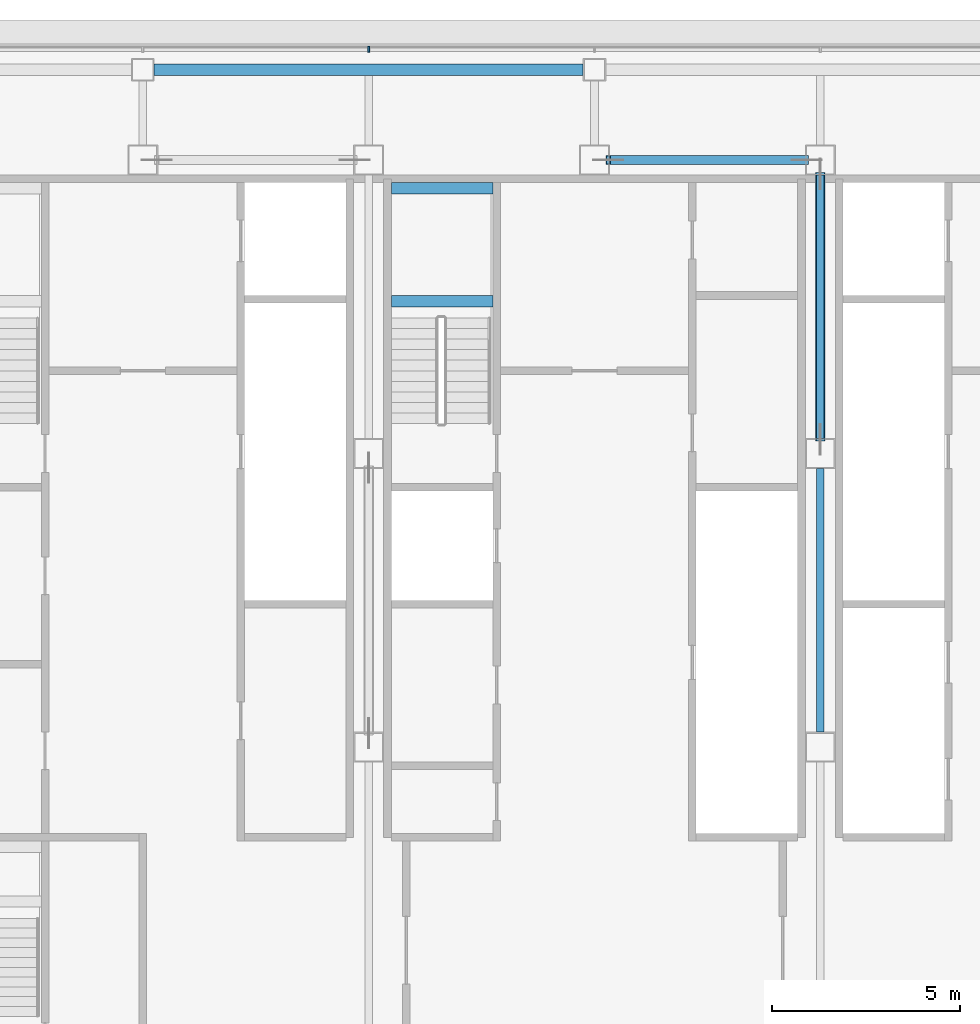
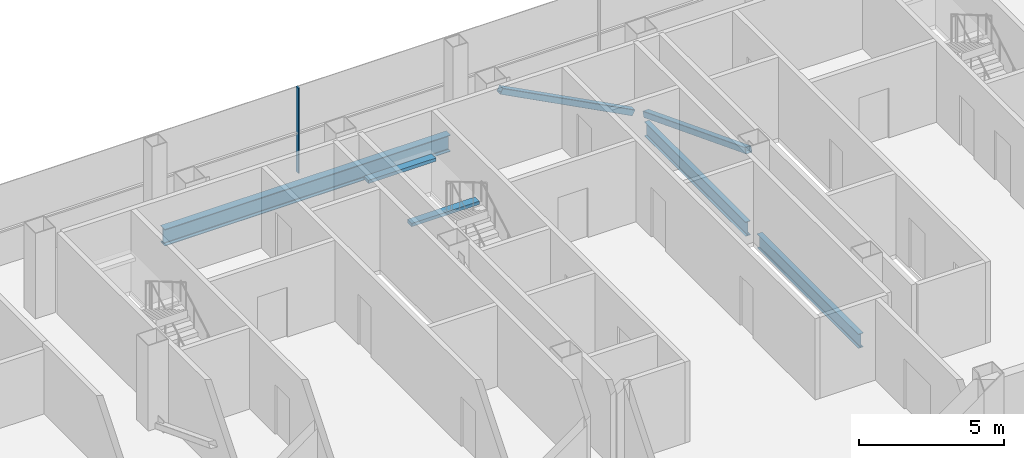
# One storey, part 14 of 28: 5 beams, 3 members, 1 element without a shape of its own.
"""IFC4 building model written with IfcOpenShell, lengths in metres."""

from ifc_helpers import new_model, si_unit, direction, frame, origin, origin_2d, place, context, subcontext, project, spatial, rectangle, hollow_rectangle, i_section, extrude, material, material_profile, profile_set, type_object, element, aggregate, save


model = new_model("IFC4")

# Units and contexts
model_context = context("Model", 3, precision=1e-05, world=origin(), true_north=direction((0.0, 1.0)))
body_context = subcontext(model_context, "Body", "Model", "MODEL_VIEW")
ifc_project = project(units=[si_unit("LENGTHUNIT", "METRE"), si_unit("AREAUNIT", "SQUARE_METRE"), si_unit("VOLUMEUNIT", "CUBIC_METRE"), si_unit("PLANEANGLEUNIT", "RADIAN"), si_unit("MASSUNIT", "GRAM", prefix="KILO")], contexts=[model_context])

# Site, building, storey
site_placement = place(None, origin())
site = spatial("IfcSite", under=ifc_project, at=site_placement, CompositionType="ELEMENT")
building_placement = place(site_placement, origin())
building = spatial("IfcBuilding", under=site, at=building_placement, Name="Sorahane Residences", CompositionType="ELEMENT")
storey_placement = place(building_placement, frame((0.0, 0.0, 266.60009765625)))
storey = spatial("IfcBuildingStorey", under=building, at=storey_placement, Name="L63", CompositionType="ELEMENT", Elevation=266.60009765625)

# Members
ifc_material_1 = material(Name="Steel Q355B", Category="steel")
ifc_material_profile_1 = material_profile(ifc_material_1, hollow_rectangle(XDim=0.25, YDim=0.25, WallThickness=0.013916015625, InnerFilletRadius=0.007080078125, OuterFilletRadius=0.02099609375, at=origin_2d()), Name="RHS 250x250x14")
ifc_profile_set_1 = profile_set([ifc_material_profile_1], Name="Steel Q355B")
member_type_1 = type_object("IfcMemberType", Name="Core brace RHS 250x250x14 Q355B", PredefinedType="BRACE", material=ifc_profile_set_1)
member_1_placement = place(storey_placement, frame((29.634765625, 45.60009765625, 0.106689453125), z_axis=(-0.886099769192, 0.0, 0.46349455125), x_axis=(0.0, -1.0, 0.0)))
element("IfcMember", 1, at=member_1_placement, inside=storey, type_object=member_type_1, Name="Core brace L63 y45.6-4", PredefinedType="BRACE", context=body_context, shape_type="SweptSolid", body=[
    extrude(hollow_rectangle(XDim=0.25, YDim=0.25, WallThickness=0.013916015625, InnerFilletRadius=0.007080078125, OuterFilletRadius=0.02099609375, at=origin_2d()), origin(), (0.0, 0.0, 1.0), 5.94677734375),
])
member_2_placement = place(storey_placement, frame((30.0, 45.22705078125, 0.1142578125), z_axis=(0.0, -0.932097872445, 0.362206510411), x_axis=(1.0, 0.0, 0.0)))
element("IfcMember", 2, at=member_2_placement, inside=storey, type_object=member_type_1, Name="Core brace L63 x30-2", PredefinedType="BRACE", context=body_context, shape_type="SweptSolid", body=[
    extrude(hollow_rectangle(XDim=0.25, YDim=0.25, WallThickness=0.013916015625, InnerFilletRadius=0.007080078125, OuterFilletRadius=0.02099609375, at=origin_2d()), origin(), (0.0, 0.0, 1.0), 7.568115234375),
])

# Curtain wall, member
ifc_material_2 = material(Name="Dark low-e glass and black anodised aluminium", Category="aluminium")
curtain_wall_type = type_object("IfcCurtainWallType", Name="Curtain wall CW-1 Typical unitised wall", PredefinedType="NOTDEFINED", material=ifc_material_2)
curtain_wall_placement = place(storey_placement, origin())
curtain_wall = element("IfcCurtainWall", 3, at=curtain_wall_placement, inside=storey, type_object=curtain_wall_type, Name="CW-1 curtain wall L63 N1", PredefinedType="NOTDEFINED")
ifc_material_3 = material(Name="Black anodised aluminium", Category="aluminium")
ifc_material_profile_2 = material_profile(ifc_material_3, rectangle(XDim=0.159912109375, YDim=0.050048828125, at=origin_2d()), Name="Curtain wall mullion CW-1 black anodised aluminium 50x160")
ifc_profile_set_2 = profile_set([ifc_material_profile_2], Name="Black anodised aluminium")
member_type_2 = type_object("IfcMemberType", Name="Curtain wall mullion CW-1 black anodised aluminium 50x160", PredefinedType="MULLION", material=ifc_profile_set_2)
member_3_placement = place(storey_placement, frame((18.0, 48.5400390625, -0.18017578125), z_axis=(0.0, 0.0, 1.0), x_axis=(0.0, 1.0, 0.0)))
member_3 = element("IfcMember", 4, at=member_3_placement, type_object=member_type_2, Name="CW-1 mullion L63 N1.6", PredefinedType="MULLION", context=body_context, shape_type="SweptSolid", body=[
    extrude(rectangle(XDim=0.159912109375, YDim=0.050048828125, at=origin_2d()), origin(), (0.0, 0.0, 1.0), 3.60009765625),
])
aggregate(curtain_wall, [member_3])

# Beams
ifc_material_4 = material(Name="Concrete C40", Category="concrete")
ifc_material_profile_3 = material_profile(ifc_material_4, rectangle(XDim=0.300048828125, YDim=0.139892578125, at=origin_2d()), Name="300x140")
ifc_profile_set_3 = profile_set([ifc_material_profile_3], Name="Concrete C40")
beam_type_1 = type_object("IfcBeamType", Name="RC landing beam 300 x 140 Concrete C40", PredefinedType="BEAM", material=ifc_profile_set_3)
for number, where, z_axis, x_axis, name in (
    (5, (18.60009765625, 41.85009765625, 1.52978515625), (1.0, 0.0, 0.0), (0.0, 1.0, 0.0), "Landing beam"),
    (6, (18.60009765625, 44.85009765625, 1.52978515625), (1.0, 0.0, 0.0), (0.0, 1.0, 0.0), "Landing beam"),
):
    element("IfcBeam", number, at=place(storey_placement, frame(where, z_axis=z_axis, x_axis=x_axis)), inside=storey, type_object=beam_type_1, Name=name, PredefinedType="BEAM", context=body_context, shape_type="SweptSolid", body=[
        extrude(rectangle(XDim=0.300048828125, YDim=0.139892578125, at=origin_2d()), origin(), (0.0, 0.0, 1.0), 2.699951171875),
    ])
ifc_material_5 = material(Name="Steel Q355B", Category="steel")
ifc_material_profile_4 = material_profile(ifc_material_5, i_section(OverallWidth=0.199951171875, OverallDepth=0.60009765625, WebThickness=0.010986328125, FlangeThickness=0.01708984375, FilletRadius=0.02392578125, at=origin_2d()), Name="HN 600x200x11x17")
ifc_profile_set_4 = profile_set([ifc_material_profile_4], Name="Steel Q355B")
beam_type_2 = type_object("IfcBeamType", Name="Steel floor beam HN 600x200x11x17 Q355B", PredefinedType="BEAM", material=ifc_profile_set_4)
for number, where, z_axis, x_axis, name in (
    (7, (30.0, 30.39990234375, -0.47998046875), (0.0, 1.0, 0.0), (-1.0, 0.0, 0.0), "Beam L63 047"),
    (8, (30.0, 38.199951171875, -0.47998046875), (0.0, 1.0, 0.0), (-1.0, 0.0, 0.0), "Beam L63 048"),
):
    element("IfcBeam", number, at=place(storey_placement, frame(where, z_axis=z_axis, x_axis=x_axis)), inside=storey, type_object=beam_type_2, Name=name, PredefinedType="BEAM", context=body_context, shape_type="SweptSolid", body=[
        extrude(i_section(OverallWidth=0.199951171875, OverallDepth=0.60009765625, WebThickness=0.010986328125, FlangeThickness=0.01708984375, FilletRadius=0.02392578125, at=origin_2d()), origin(), (0.0, 0.0, 1.0), 7.0),
    ])
ifc_material_6 = material(Name="Steel Q355B", Category="steel")
ifc_material_profile_5 = material_profile(ifc_material_6, i_section(OverallWidth=0.300048828125, OverallDepth=0.699951171875, WebThickness=0.012939453125, FlangeThickness=0.02392578125, FilletRadius=0.028076171875, at=origin_2d()), Name="HN 700x300x13x24")
ifc_profile_set_5 = profile_set([ifc_material_profile_5], Name="Steel Q355B")
beam_type_3 = type_object("IfcBeamType", Name="Steel floor beam HN 700x300x13x24 Q355B", PredefinedType="BEAM", material=ifc_profile_set_5)
beam_placement = place(storey_placement, frame((12.300048828125, 48.0, -0.530029296875), z_axis=(1.0, 0.0, 0.0), x_axis=(0.0, 1.0, 0.0)))
element("IfcBeam", 9, at=beam_placement, inside=storey, type_object=beam_type_3, Name="Beam L63 017", PredefinedType="BEAM", context=body_context, shape_type="SweptSolid", body=[
    extrude(i_section(OverallWidth=0.300048828125, OverallDepth=0.699951171875, WebThickness=0.012939453125, FlangeThickness=0.02392578125, FilletRadius=0.028076171875, at=origin_2d()), origin(), (0.0, 0.0, 1.0), 11.39990234375),
])

save(model, "model.ifc")
